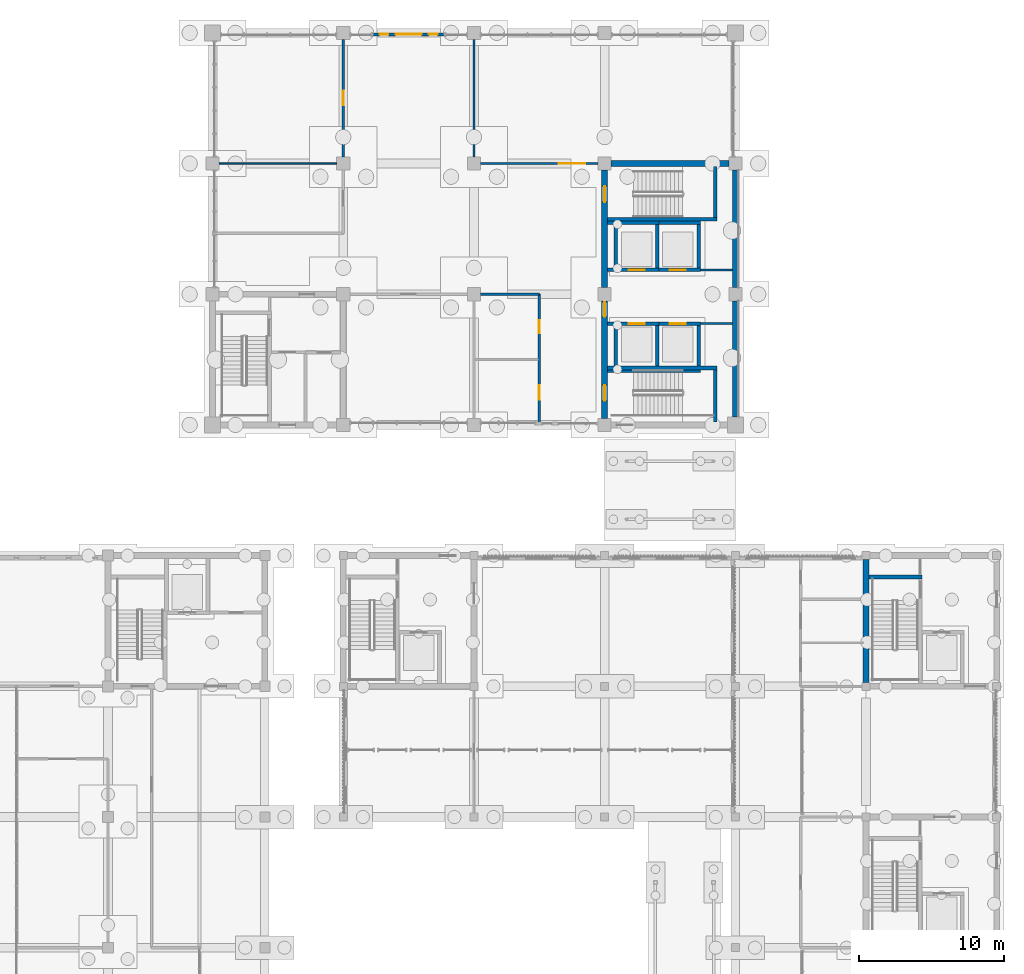
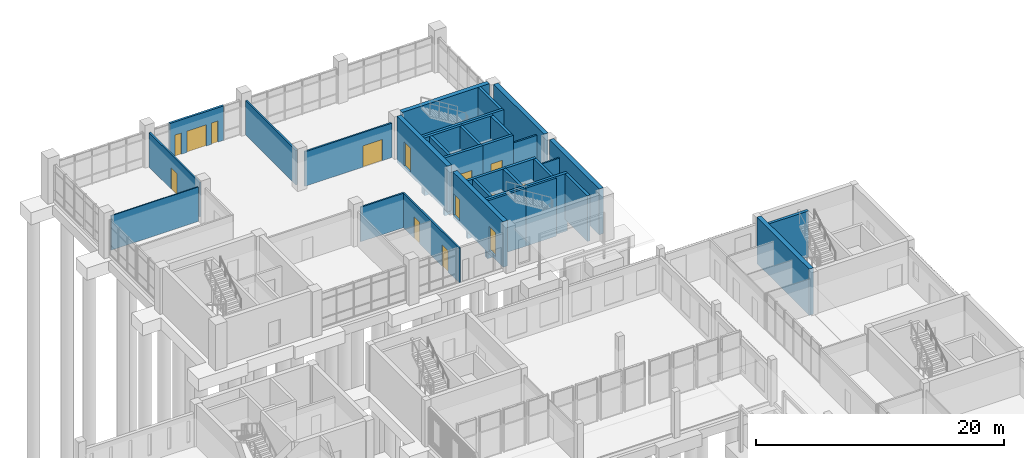
# One storey, part 79 of 106: 34 walls, 12 doors, 2 windows, 14 openings.
"""IFC4 building model written with IfcOpenShell, lengths in metres."""

from ifc_helpers import new_model, si_unit, direction, frame, frame_2d, origin, place, context, subcontext, project, spatial, rectangle, extrude, material, layer, layer_set, type_object, element, fill, save


model = new_model("IFC4")

# Units and contexts
model_context = context("Model", 3, precision=1e-05, world=origin(), true_north=direction((0.0, 1.0)))
body_context = subcontext(model_context, "Body", "Model", "MODEL_VIEW")
ifc_project = project(units=[si_unit("LENGTHUNIT", "METRE"), si_unit("AREAUNIT", "SQUARE_METRE"), si_unit("VOLUMEUNIT", "CUBIC_METRE"), si_unit("PLANEANGLEUNIT", "RADIAN"), si_unit("MASSUNIT", "GRAM", prefix="KILO")], contexts=[model_context])

# Site, building, storey
site_placement = place(None, origin())
site = spatial("IfcSite", under=ifc_project, at=site_placement, CompositionType="ELEMENT")
building_placement = place(site_placement, origin())
building = spatial("IfcBuilding", under=site, at=building_placement, Name="Merrow Basin Faculty of Sciences", CompositionType="ELEMENT")
storey_placement = place(building_placement, origin())
storey = spatial("IfcBuildingStorey", under=building, at=storey_placement, Name="L00", CompositionType="ELEMENT", Elevation=0.0)

# Wall, opening, door
ifc_material_1 = material(Name="Fire-rated gypsum board")
ifc_layer_1 = layer(ifc_material_1, 0.14990234375)
ifc_layer_set_1 = layer_set([ifc_layer_1], Name="Corridor partition 150 fire-rated board on steel studs")
wall_type_1 = type_object("IfcWallType", Name="Corridor partition 150 fire-rated board on steel studs", PredefinedType="PARTITIONING", material=ifc_layer_set_1)
wall_1_placement = place(storey_placement, frame((27.0, 160.449951171875, 0.0), z_axis=(0.0, 0.0, 1.0), x_axis=(0.0, 1.0, 0.0)))
wall_1 = element("IfcWall", 1, at=wall_1_placement, inside=storey, type_object=wall_type_1, Name="IW151 L00 004", PredefinedType="PARTITIONING", context=body_context, shape_type="SweptSolid", body=[
    extrude(rectangle(XDim=8.10009765625, YDim=0.14990234375, at=frame_2d((4.050048828125, 0.0))), origin(), (0.0, 0.0, 1.0), 3.39990234375),
])
opening_1_placement = place(wall_1_placement, frame((3.550048828125, 0.0, 0.0)))
opening_1 = element("IfcOpeningElement", 2, at=opening_1_placement, cuts=wall_1, Name="Opening D00T014", PredefinedType="OPENING", context=body_context, shape_type="SweptSolid", body=[
    extrude(rectangle(XDim=1.0, YDim=2.10009765625, at=frame_2d((0.5, 1.050048828125))), frame((0.0, 0.0849609375, 0.0), z_axis=(0.0, -1.0, 0.0), x_axis=(1.0, 0.0, 0.0)), (0.0, 0.0, 1.0), 0.169921875),
])
ifc_material_2 = material(Name="Timber door leaf", Category="wood")
door_type_1 = type_object("IfcDoorType", Name="Single swing door 1000 x 2100", OperationType="NOTDEFINED", PredefinedType="DOOR", material=ifc_material_2)
door_1_placement = place(opening_1_placement, origin())
door_1 = element("IfcDoor", 3, at=door_1_placement, inside=storey, type_object=door_type_1, Name="Door D00T014", OperationType="SINGLE_SWING_LEFT", OverallHeight=2.10009765625, OverallWidth=1.0, PredefinedType="DOOR", context=body_context, shape_type="SweptSolid", body=[
    extrude(rectangle(XDim=1.0, YDim=2.10009765625, at=frame_2d((0.5, 1.050048828125))), frame((0.0, 0.02490234375, 0.0), z_axis=(0.0, -1.0, 0.0), x_axis=(1.0, 0.0, 0.0)), (0.0, 0.0, 1.0), 0.050048828125),
])
fill(opening_1, door_1)

# Wall
wall_2_placement = place(storey_placement, frame((36.0, 160.449951171875, 0.0), z_axis=(0.0, 0.0, 1.0), x_axis=(0.0, 1.0, 0.0)))
element("IfcWall", 4, at=wall_2_placement, inside=storey, type_object=wall_type_1, Name="IW151 L00 006", PredefinedType="PARTITIONING", context=body_context, shape_type="SweptSolid", body=[
    extrude(rectangle(XDim=8.10009765625, YDim=0.14990234375, at=frame_2d((4.050048828125, 0.0))), origin(), (0.0, 0.0, 1.0), 3.39990234375),
])

# Wall, openings, doors
wall_3_placement = place(storey_placement, frame((40.5, 142.0, 0.0), z_axis=(0.0, 0.0, 1.0), x_axis=(0.0, 1.0, 0.0)))
wall_3 = element("IfcWall", 5, at=wall_3_placement, inside=storey, type_object=wall_type_1, Name="IW151 L00 007", PredefinedType="PARTITIONING", context=body_context, shape_type="SweptSolid", body=[
    extrude(rectangle(XDim=9.0, YDim=0.14990234375, at=frame_2d((4.5, 0.0))), origin(), (0.0, 0.0, 1.0), 3.39990234375),
])
opening_2_placement = place(wall_3_placement, frame((1.75, 0.0, 0.0)))
opening_2 = element("IfcOpeningElement", 6, at=opening_2_placement, cuts=wall_3, Name="Opening D00T010", PredefinedType="OPENING", context=body_context, shape_type="SweptSolid", body=[
    extrude(rectangle(XDim=1.0, YDim=2.10009765625, at=frame_2d((0.5, 1.050048828125))), frame((0.0, 0.0849609375, 0.0), z_axis=(0.0, -1.0, 0.0), x_axis=(1.0, 0.0, 0.0)), (0.0, 0.0, 1.0), 0.169921875),
])
opening_3_placement = place(wall_3_placement, frame((6.300048828125, 0.0, 0.0)))
opening_3 = element("IfcOpeningElement", 7, at=opening_3_placement, cuts=wall_3, Name="Opening D00T011", PredefinedType="OPENING", context=body_context, shape_type="SweptSolid", body=[
    extrude(rectangle(XDim=0.89990234375, YDim=2.10009765625, at=frame_2d((0.449951171875, 1.050048828125))), frame((0.0, 0.0849609375, 0.0), z_axis=(0.0, -1.0, 0.0), x_axis=(1.0, 0.0, 0.0)), (0.0, 0.0, 1.0), 0.169921875),
])
ifc_material_3 = material(Name="Timber door leaf", Category="wood")
door_type_2 = type_object("IfcDoorType", Name="Accessible door 1000 x 2100", OperationType="NOTDEFINED", PredefinedType="DOOR", material=ifc_material_3)
door_2_placement = place(opening_2_placement, origin())
door_2 = element("IfcDoor", 8, at=door_2_placement, inside=storey, type_object=door_type_2, Name="Door D00T010", OperationType="SINGLE_SWING_LEFT", OverallHeight=2.10009765625, OverallWidth=1.0, PredefinedType="DOOR", context=body_context, shape_type="SweptSolid", body=[
    extrude(rectangle(XDim=1.0, YDim=2.10009765625, at=frame_2d((0.5, 1.050048828125))), frame((0.0, 0.02490234375, 0.0), z_axis=(0.0, -1.0, 0.0), x_axis=(1.0, 0.0, 0.0)), (0.0, 0.0, 1.0), 0.050048828125),
])
fill(opening_2, door_2)
ifc_material_4 = material(Name="Timber door leaf", Category="wood")
door_type_3 = type_object("IfcDoorType", Name="Single swing door 900 x 2100", OperationType="NOTDEFINED", PredefinedType="DOOR", material=ifc_material_4)
door_3_placement = place(opening_3_placement, origin())
door_3 = element("IfcDoor", 9, at=door_3_placement, inside=storey, type_object=door_type_3, Name="Door D00T011", OperationType="SINGLE_SWING_LEFT", OverallHeight=2.10009765625, OverallWidth=0.89990234375, PredefinedType="DOOR", context=body_context, shape_type="SweptSolid", body=[
    extrude(rectangle(XDim=0.89990234375, YDim=2.10009765625, at=frame_2d((0.449951171875, 1.050048828125))), frame((0.0, 0.02490234375, 0.0), z_axis=(0.0, -1.0, 0.0), x_axis=(1.0, 0.0, 0.0)), (0.0, 0.0, 1.0), 0.050048828125),
])
fill(opening_3, door_3)

# Walls
wall_4_placement = place(storey_placement, frame((51.60009765625, 148.97509765625, 0.0), z_axis=(0.0, 0.0, 1.0), x_axis=(1.0, 0.0, 0.0)))
element("IfcWall", 10, at=wall_4_placement, inside=storey, type_object=wall_type_1, Name="IW151 L00 009", PredefinedType="PARTITIONING", context=body_context, shape_type="SweptSolid", body=[
    extrude(rectangle(XDim=2.199951171875, YDim=0.14990234375, at=frame_2d((1.10009765625, 0.0))), origin(), (0.0, 0.0, 1.0), 3.39990234375),
])
wall_5_placement = place(storey_placement, frame((36.449951171875, 151.0, 0.0), z_axis=(0.0, 0.0, 1.0), x_axis=(1.0, 0.0, 0.0)))
element("IfcWall", 11, at=wall_5_placement, inside=storey, type_object=wall_type_1, Name="IW151 L00 011", PredefinedType="PARTITIONING", context=body_context, shape_type="SweptSolid", body=[
    extrude(rectangle(XDim=4.050048828125, YDim=0.14990234375, at=frame_2d((2.02490234375, 0.0))), origin(), (0.0, 0.0, 1.0), 3.39990234375),
])
wall_6_placement = place(storey_placement, frame((51.60009765625, 152.675048828125, 0.0), z_axis=(0.0, 0.0, 1.0), x_axis=(1.0, 0.0, 0.0)))
element("IfcWall", 12, at=wall_6_placement, inside=storey, type_object=wall_type_1, Name="IW151 L00 012", PredefinedType="PARTITIONING", context=body_context, shape_type="SweptSolid", body=[
    extrude(rectangle(XDim=2.199951171875, YDim=0.14990234375, at=frame_2d((1.10009765625, 0.0))), origin(), (0.0, 0.0, 1.0), 3.39990234375),
])

# Wall, opening, door
wall_7_placement = place(storey_placement, frame((36.449951171875, 160.0, 0.0), z_axis=(0.0, 0.0, 1.0), x_axis=(1.0, 0.0, 0.0)))
wall_7 = element("IfcWall", 13, at=wall_7_placement, inside=storey, type_object=wall_type_1, Name="IW151 L00 014", PredefinedType="PARTITIONING", context=body_context, shape_type="SweptSolid", body=[
    extrude(rectangle(XDim=8.10009765625, YDim=0.14990234375, at=frame_2d((4.050048828125, 0.0))), origin(), (0.0, 0.0, 1.0), 3.39990234375),
])
opening_4_placement = place(wall_7_placement, frame((5.39990234375, 0.0, 0.0)))
opening_4 = element("IfcOpeningElement", 14, at=opening_4_placement, cuts=wall_7, Name="Opening D00T015", PredefinedType="OPENING", context=body_context, shape_type="SweptSolid", body=[
    extrude(rectangle(XDim=1.800048828125, YDim=2.10009765625, at=frame_2d((0.89990234375, 1.050048828125))), frame((0.0, 0.0849609375, 0.0), z_axis=(0.0, -1.0, 0.0), x_axis=(1.0, 0.0, 0.0)), (0.0, 0.0, 1.0), 0.169921875),
])
ifc_material_5 = material(Name="Glazed aluminium door", Category="aluminium")
door_type_4 = type_object("IfcDoorType", Name="Double swing door 1800 x 2100", OperationType="NOTDEFINED", PredefinedType="DOOR", material=ifc_material_5)
door_4_placement = place(opening_4_placement, origin())
door_4 = element("IfcDoor", 15, at=door_4_placement, inside=storey, type_object=door_type_4, Name="Door D00T015", OperationType="DOUBLE_DOOR_SINGLE_SWING", OverallHeight=2.10009765625, OverallWidth=1.800048828125, PredefinedType="DOOR", context=body_context, shape_type="SweptSolid", body=[
    extrude(rectangle(XDim=1.800048828125, YDim=2.10009765625, at=frame_2d((0.89990234375, 1.050048828125))), frame((0.0, 0.02490234375, 0.0), z_axis=(0.0, -1.0, 0.0), x_axis=(1.0, 0.0, 0.0)), (0.0, 0.0, 1.0), 0.050048828125),
])
fill(opening_4, door_4)

# Wall, openings, door, windows
ifc_material_6 = material(Name="Precast concrete C40/50", Category="concrete")
ifc_layer_2 = layer(ifc_material_6, 0.199951171875)
ifc_layer_set_2 = layer_set([ifc_layer_2], Name="Entrance frame wall 200 Precast concrete C40/50")
wall_type_2 = type_object("IfcWallType", Name="Entrance frame wall 200 Precast concrete C40/50", PredefinedType="STANDARD", material=ifc_layer_set_2)
wall_8_placement = place(storey_placement, frame((29.0, 168.89990234375, 0.0), z_axis=(0.0, 0.0, 1.0), x_axis=(1.0, 0.0, 0.0)))
wall_8 = element("IfcWall", 16, at=wall_8_placement, inside=storey, type_object=wall_type_2, Name="Entrance frame wall north", PredefinedType="STANDARD", context=body_context, shape_type="SweptSolid", body=[
    extrude(rectangle(XDim=5.0, YDim=0.199951171875, at=frame_2d((2.5, 0.0))), origin(), (0.0, 0.0, 1.0), 3.39990234375),
])
opening_5_placement = place(wall_8_placement, frame((1.60009765625, 0.0, 0.0)))
opening_5 = element("IfcOpeningElement", 17, at=opening_5_placement, cuts=wall_8, Name="Opening D00T017", PredefinedType="OPENING", context=body_context, shape_type="SweptSolid", body=[
    extrude(rectangle(XDim=1.800048828125, YDim=2.10009765625, at=frame_2d((0.89990234375, 1.050048828125))), frame((0.0, 0.10986328125, 0.0), z_axis=(0.0, -1.0, 0.0), x_axis=(1.0, 0.0, 0.0)), (0.0, 0.0, 1.0), 0.219970703125),
])
opening_6_placement = place(wall_8_placement, frame((0.5, 0.0, 0.0)))
opening_6 = element("IfcOpeningElement", 18, at=opening_6_placement, cuts=wall_8, Name="Opening WN2", PredefinedType="OPENING", context=body_context, shape_type="SweptSolid", body=[
    extrude(rectangle(XDim=0.60009765625, YDim=2.10009765625, at=frame_2d((0.300048828125, 1.050048828125))), frame((0.0, 0.10986328125, 0.0), z_axis=(0.0, -1.0, 0.0), x_axis=(1.0, 0.0, 0.0)), (0.0, 0.0, 1.0), 0.219970703125),
])
opening_7_placement = place(wall_8_placement, frame((3.89990234375, 0.0, 0.0)))
opening_7 = element("IfcOpeningElement", 19, at=opening_7_placement, cuts=wall_8, Name="Opening WN2", PredefinedType="OPENING", context=body_context, shape_type="SweptSolid", body=[
    extrude(rectangle(XDim=0.60009765625, YDim=2.10009765625, at=frame_2d((0.300048828125, 1.050048828125))), frame((0.0, 0.10986328125, 0.0), z_axis=(0.0, -1.0, 0.0), x_axis=(1.0, 0.0, 0.0)), (0.0, 0.0, 1.0), 0.219970703125),
])
door_5_placement = place(opening_5_placement, origin())
door_5 = element("IfcDoor", 20, at=door_5_placement, inside=storey, type_object=door_type_4, Name="North entrance door", OperationType="DOUBLE_DOOR_SINGLE_SWING", OverallHeight=2.10009765625, OverallWidth=1.800048828125, PredefinedType="DOOR", context=body_context, shape_type="SweptSolid", body=[
    extrude(rectangle(XDim=1.800048828125, YDim=2.10009765625, at=frame_2d((0.89990234375, 1.050048828125))), frame((0.0, 0.02490234375, 0.0), z_axis=(0.0, -1.0, 0.0), x_axis=(1.0, 0.0, 0.0)), (0.0, 0.0, 1.0), 0.050048828125),
])
fill(opening_5, door_5)
ifc_material_7 = material(Name="Low-E double glazing", Category="glass")
window_type = type_object("IfcWindowType", Name="Entrance sidelight 600 x 2100", PartitioningType="SINGLE_PANEL", PredefinedType="WINDOW", material=ifc_material_7)
window_1_placement = place(opening_6_placement, origin())
window_1 = element("IfcWindow", 21, at=window_1_placement, inside=storey, type_object=window_type, Name="North entrance sidelight", OverallHeight=2.10009765625, OverallWidth=0.60009765625, PartitioningType="SINGLE_PANEL", PredefinedType="WINDOW", context=body_context, shape_type="SweptSolid", body=[
    extrude(rectangle(XDim=0.60009765625, YDim=2.10009765625, at=frame_2d((0.300048828125, 1.050048828125))), frame((0.0, 0.030029296875, 0.0), z_axis=(0.0, -1.0, 0.0), x_axis=(1.0, 0.0, 0.0)), (0.0, 0.0, 1.0), 0.06005859375),
])
fill(opening_6, window_1)
window_2_placement = place(opening_7_placement, origin())
window_2 = element("IfcWindow", 22, at=window_2_placement, inside=storey, type_object=window_type, Name="North entrance sidelight", OverallHeight=2.10009765625, OverallWidth=0.60009765625, PartitioningType="SINGLE_PANEL", PredefinedType="WINDOW", context=body_context, shape_type="SweptSolid", body=[
    extrude(rectangle(XDim=0.60009765625, YDim=2.10009765625, at=frame_2d((0.300048828125, 1.050048828125))), frame((0.0, 0.030029296875, 0.0), z_axis=(0.0, -1.0, 0.0), x_axis=(1.0, 0.0, 0.0)), (0.0, 0.0, 1.0), 0.06005859375),
])
fill(opening_7, window_2)

# Walls
ifc_material_8 = material(Name="Gypsum board")
ifc_layer_3 = layer(ifc_material_8, 0.10009765625)
ifc_layer_set_3 = layer_set([ifc_layer_3], Name="Partition 100 gypsum board on steel studs")
wall_type_3 = type_object("IfcWallType", Name="Partition 100 gypsum board on steel studs", PredefinedType="PARTITIONING", material=ifc_layer_set_3)
wall_9_placement = place(storey_placement, frame((18.449951171875, 160.0, 0.0), z_axis=(0.0, 0.0, 1.0), x_axis=(1.0, 0.0, 0.0)))
element("IfcWall", 23, at=wall_9_placement, inside=storey, type_object=wall_type_3, Name="IW100 L00 017", PredefinedType="PARTITIONING", context=body_context, shape_type="SweptSolid", body=[
    extrude(rectangle(XDim=8.10009765625, YDim=0.10009765625, at=frame_2d((4.050048828125, 0.0))), origin(), (0.0, 0.0, 1.0), 3.39990234375),
])
ifc_material_9 = material(Name="Concrete C50/60", Category="concrete")
ifc_layer_4 = layer(ifc_material_9, 0.199951171875)
ifc_layer_set_4 = layer_set([ifc_layer_4], Name="Shear wall 200 Concrete C50/60")
wall_type_4 = type_object("IfcWallType", Name="Shear wall 200 Concrete C50/60", PredefinedType="SHEAR", material=ifc_layer_set_4)
wall_10_placement = place(storey_placement, frame((45.199951171875, 145.699951171875, -1.5), z_axis=(0.0, 0.0, 1.0), x_axis=(1.0, 0.0, 0.0)))
element("IfcWall", 24, at=wall_10_placement, inside=storey, type_object=wall_type_4, Name="SW5 L00 018", PredefinedType="SHEAR", context=body_context, shape_type="SweptSolid", body=[
    extrude(rectangle(XDim=3.550048828125, YDim=0.199951171875, at=frame_2d((1.77490234375, 0.0))), origin(), (0.0, 0.0, 1.0), 5.699951171875),
])
wall_11_placement = place(storey_placement, frame((48.75, 145.699951171875, -1.5), z_axis=(0.0, 0.0, 1.0), x_axis=(1.0, 0.0, 0.0)))
element("IfcWall", 25, at=wall_11_placement, inside=storey, type_object=wall_type_4, Name="SW5 L00 022", PredefinedType="SHEAR", context=body_context, shape_type="SweptSolid", body=[
    extrude(rectangle(XDim=2.85009765625, YDim=0.199951171875, at=frame_2d((1.425048828125, 0.0))), origin(), (0.0, 0.0, 1.0), 5.699951171875),
])
ifc_material_10 = material(Name="Concrete C40/50", Category="concrete")
ifc_layer_5 = layer(ifc_material_10, 0.25)
ifc_layer_set_5 = layer_set([ifc_layer_5], Name="Shear wall 250 Concrete C40/50")
wall_type_5 = type_object("IfcWallType", Name="Shear wall 250 Concrete C40/50", PredefinedType="SHEAR", material=ifc_layer_set_5)
wall_12_placement = place(storey_placement, frame((63.199951171875, 131.52490234375, -0.300048828125), z_axis=(0.0, 0.0, 1.0), x_axis=(1.0, 0.0, 0.0)))
element("IfcWall", 26, at=wall_12_placement, inside=storey, type_object=wall_type_5, Name="SW2 L00 029", PredefinedType="SHEAR", context=body_context, shape_type="SweptSolid", body=[
    extrude(rectangle(XDim=3.650146484375, YDim=0.25, at=frame_2d((1.8251953125, 0.0))), origin(), (0.0, 0.0, 1.0), 4.550048828125),
])
ifc_material_11 = material(Name="Concrete C50/60", Category="concrete")
ifc_layer_6 = layer(ifc_material_11, 0.25)
ifc_layer_set_6 = layer_set([ifc_layer_6], Name="Shear wall 250 Concrete C50/60")
wall_type_6 = type_object("IfcWallType", Name="Shear wall 250 Concrete C50/60", PredefinedType="SHEAR", material=ifc_layer_set_6)
wall_13_placement = place(storey_placement, frame((45.199951171875, 156.175048828125, -1.5), z_axis=(0.0, 0.0, 1.0), x_axis=(1.0, 0.0, 0.0)))
element("IfcWall", 27, at=wall_13_placement, inside=storey, type_object=wall_type_6, Name="SW4 L00 007", PredefinedType="SHEAR", context=body_context, shape_type="SweptSolid", body=[
    extrude(rectangle(XDim=7.550048828125, YDim=0.25, at=frame_2d((3.77490234375, 0.0))), origin(), (0.0, 0.0, 1.0), 5.699951171875),
])
wall_14_placement = place(storey_placement, frame((52.625, 156.300048828125, -0.300048828125), z_axis=(0.0, 0.0, 1.0), x_axis=(0.0, 1.0, 0.0)))
element("IfcWall", 28, at=wall_14_placement, inside=storey, type_object=wall_type_6, Name="SW4 L00 008", PredefinedType="SHEAR", context=body_context, shape_type="SweptSolid", body=[
    extrude(rectangle(XDim=3.5, YDim=0.25, at=frame_2d((1.75, 0.0))), origin(), (0.0, 0.0, 1.0), 4.5),
])
wall_15_placement = place(storey_placement, frame((45.199951171875, 145.925048828125, -1.5), z_axis=(0.0, 0.0, 1.0), x_axis=(1.0, 0.0, 0.0)))
element("IfcWall", 29, at=wall_15_placement, inside=storey, type_object=wall_type_6, Name="SW4 L00 009", PredefinedType="SHEAR", context=body_context, shape_type="SweptSolid", body=[
    extrude(rectangle(XDim=7.550048828125, YDim=0.25, at=frame_2d((3.77490234375, 0.0))), origin(), (0.0, 0.0, 1.0), 5.699951171875),
])
wall_16_placement = place(storey_placement, frame((52.625, 142.199951171875, -0.300048828125), z_axis=(0.0, 0.0, 1.0), x_axis=(0.0, 1.0, 0.0)))
element("IfcWall", 30, at=wall_16_placement, inside=storey, type_object=wall_type_6, Name="SW4 L00 010", PredefinedType="SHEAR", context=body_context, shape_type="SweptSolid", body=[
    extrude(rectangle(XDim=3.60009765625, YDim=0.25, at=frame_2d((1.800048828125, 0.0))), origin(), (0.0, 0.0, 1.0), 4.5),
])

# Wall, opening, door
wall_17_placement = place(storey_placement, frame((45.199951171875, 152.675048828125, -1.5), z_axis=(0.0, 0.0, 1.0), x_axis=(1.0, 0.0, 0.0)))
wall_17 = element("IfcWall", 31, at=wall_17_placement, inside=storey, type_object=wall_type_6, Name="SW4 L00 011", PredefinedType="SHEAR", context=body_context, shape_type="SweptSolid", body=[
    extrude(rectangle(XDim=3.550048828125, YDim=0.25, at=frame_2d((1.77490234375, 0.0))), origin(), (0.0, 0.0, 1.0), 5.699951171875),
])
opening_8_placement = place(wall_17_placement, frame((1.449951171875, 0.0, 1.5)))
opening_8 = element("IfcOpeningElement", 32, at=opening_8_placement, cuts=wall_17, Name="Opening LD00T01", PredefinedType="OPENING", context=body_context, shape_type="SweptSolid", body=[
    extrude(rectangle(XDim=1.10009765625, YDim=2.10009765625, at=frame_2d((0.550048828125, 1.050048828125))), frame((0.0, 0.135009765625, 0.0), z_axis=(0.0, -1.0, 0.0), x_axis=(1.0, 0.0, 0.0)), (0.0, 0.0, 1.0), 0.27001953125),
])
ifc_material_12 = material(Name="Stainless steel sliding door", Category="steel")
door_type_5 = type_object("IfcDoorType", Name="Lift landing door 1100 x 2100 sliding", OperationType="NOTDEFINED", PredefinedType="DOOR", material=ifc_material_12)
door_6_placement = place(opening_8_placement, origin())
door_6 = element("IfcDoor", 33, at=door_6_placement, inside=storey, type_object=door_type_5, Name="Landing door LF11 L00", OperationType="SLIDING_TO_LEFT", OverallHeight=2.10009765625, OverallWidth=1.10009765625, PredefinedType="DOOR", context=body_context, shape_type="SweptSolid", body=[
    extrude(rectangle(XDim=1.10009765625, YDim=2.10009765625, at=frame_2d((0.550048828125, 1.050048828125))), frame((0.0, 0.02490234375, 0.0), z_axis=(0.0, -1.0, 0.0), x_axis=(1.0, 0.0, 0.0)), (0.0, 0.0, 1.0), 0.050048828125),
])
fill(opening_8, door_6)

# Walls
wall_18_placement = place(storey_placement, frame((45.199951171875, 155.925048828125, -1.5), z_axis=(0.0, 0.0, 1.0), x_axis=(1.0, 0.0, 0.0)))
element("IfcWall", 34, at=wall_18_placement, inside=storey, type_object=wall_type_6, Name="SW4 L00 012", PredefinedType="SHEAR", context=body_context, shape_type="SweptSolid", body=[
    extrude(rectangle(XDim=3.550048828125, YDim=0.25, at=frame_2d((1.77490234375, 0.0))), origin(), (0.0, 0.0, 1.0), 5.699951171875),
])
for number, where, z_axis, x_axis, name in (
    (35, (45.77490234375, 152.800048828125, -1.5), (0.0, 0.0, 1.0), (0.0, 1.0, 0.0), "SW4 L00 013"),
    (36, (48.625, 152.800048828125, -1.5), (0.0, 0.0, 1.0), (0.0, 1.0, 0.0), "SW4 L00 014"),
):
    element("IfcWall", number, at=place(storey_placement, frame(where, z_axis=z_axis, x_axis=x_axis)), inside=storey, type_object=wall_type_6, Name=name, PredefinedType="SHEAR", context=body_context, shape_type="SweptSolid", body=[
        extrude(rectangle(XDim=3.0, YDim=0.25, at=frame_2d((1.5, 0.0))), origin(), (0.0, 0.0, 1.0), 5.699951171875),
    ])

# Wall, opening, door
wall_19_placement = place(storey_placement, frame((48.75, 152.675048828125, -1.5), z_axis=(0.0, 0.0, 1.0), x_axis=(1.0, 0.0, 0.0)))
wall_19 = element("IfcWall", 37, at=wall_19_placement, inside=storey, type_object=wall_type_6, Name="SW4 L00 015", PredefinedType="SHEAR", context=body_context, shape_type="SweptSolid", body=[
    extrude(rectangle(XDim=2.85009765625, YDim=0.25, at=frame_2d((1.425048828125, 0.0))), origin(), (0.0, 0.0, 1.0), 5.699951171875),
])
opening_9_placement = place(wall_19_placement, frame((0.75, 0.0, 1.5)))
opening_9 = element("IfcOpeningElement", 38, at=opening_9_placement, cuts=wall_19, Name="Opening LD00T02", PredefinedType="OPENING", context=body_context, shape_type="SweptSolid", body=[
    extrude(rectangle(XDim=1.10009765625, YDim=2.10009765625, at=frame_2d((0.550048828125, 1.050048828125))), frame((0.0, 0.135009765625, 0.0), z_axis=(0.0, -1.0, 0.0), x_axis=(1.0, 0.0, 0.0)), (0.0, 0.0, 1.0), 0.27001953125),
])
door_7_placement = place(opening_9_placement, origin())
door_7 = element("IfcDoor", 39, at=door_7_placement, inside=storey, type_object=door_type_5, Name="Landing door LF12 L00", OperationType="SLIDING_TO_LEFT", OverallHeight=2.10009765625, OverallWidth=1.10009765625, PredefinedType="DOOR", context=body_context, shape_type="SweptSolid", body=[
    extrude(rectangle(XDim=1.10009765625, YDim=2.10009765625, at=frame_2d((0.550048828125, 1.050048828125))), frame((0.0, 0.02490234375, 0.0), z_axis=(0.0, -1.0, 0.0), x_axis=(1.0, 0.0, 0.0)), (0.0, 0.0, 1.0), 0.050048828125),
])
fill(opening_9, door_7)

# Walls
wall_20_placement = place(storey_placement, frame((48.75, 155.925048828125, -1.5), z_axis=(0.0, 0.0, 1.0), x_axis=(1.0, 0.0, 0.0)))
element("IfcWall", 40, at=wall_20_placement, inside=storey, type_object=wall_type_6, Name="SW4 L00 016", PredefinedType="SHEAR", context=body_context, shape_type="SweptSolid", body=[
    extrude(rectangle(XDim=2.85009765625, YDim=0.25, at=frame_2d((1.425048828125, 0.0))), origin(), (0.0, 0.0, 1.0), 5.699951171875),
])
wall_21_placement = place(storey_placement, frame((51.47509765625, 152.800048828125, -1.5), z_axis=(0.0, 0.0, 1.0), x_axis=(0.0, 1.0, 0.0)))
element("IfcWall", 41, at=wall_21_placement, inside=storey, type_object=wall_type_6, Name="SW4 L00 017", PredefinedType="SHEAR", context=body_context, shape_type="SweptSolid", body=[
    extrude(rectangle(XDim=3.0, YDim=0.25, at=frame_2d((1.5, 0.0))), origin(), (0.0, 0.0, 1.0), 5.699951171875),
])

# Wall, opening, door
wall_22_placement = place(storey_placement, frame((45.199951171875, 148.97509765625, -1.5), z_axis=(0.0, 0.0, 1.0), x_axis=(1.0, 0.0, 0.0)))
wall_22 = element("IfcWall", 42, at=wall_22_placement, inside=storey, type_object=wall_type_6, Name="SW4 L00 019", PredefinedType="SHEAR", context=body_context, shape_type="SweptSolid", body=[
    extrude(rectangle(XDim=3.550048828125, YDim=0.25, at=frame_2d((1.77490234375, 0.0))), origin(), (0.0, 0.0, 1.0), 5.699951171875),
])
opening_10_placement = place(wall_22_placement, frame((1.449951171875, 0.0, 1.5)))
opening_10 = element("IfcOpeningElement", 43, at=opening_10_placement, cuts=wall_22, Name="Opening LD00T03", PredefinedType="OPENING", context=body_context, shape_type="SweptSolid", body=[
    extrude(rectangle(XDim=1.10009765625, YDim=2.10009765625, at=frame_2d((0.550048828125, 1.050048828125))), frame((0.0, 0.135009765625, 0.0), z_axis=(0.0, -1.0, 0.0), x_axis=(1.0, 0.0, 0.0)), (0.0, 0.0, 1.0), 0.27001953125),
])
door_8_placement = place(opening_10_placement, origin())
door_8 = element("IfcDoor", 44, at=door_8_placement, inside=storey, type_object=door_type_5, Name="Landing door LF13 L00", OperationType="SLIDING_TO_LEFT", OverallHeight=2.10009765625, OverallWidth=1.10009765625, PredefinedType="DOOR", context=body_context, shape_type="SweptSolid", body=[
    extrude(rectangle(XDim=1.10009765625, YDim=2.10009765625, at=frame_2d((0.550048828125, 1.050048828125))), frame((0.0, 0.02490234375, 0.0), z_axis=(0.0, -1.0, 0.0), x_axis=(1.0, 0.0, 0.0)), (0.0, 0.0, 1.0), 0.050048828125),
])
fill(opening_10, door_8)

# Walls
for number, where, z_axis, x_axis, name in (
    (45, (45.77490234375, 146.050048828125, -1.5), (0.0, 0.0, 1.0), (0.0, 1.0, 0.0), "SW4 L00 020"),
    (46, (48.625, 146.050048828125, -1.5), (0.0, 0.0, 1.0), (0.0, 1.0, 0.0), "SW4 L00 021"),
):
    element("IfcWall", number, at=place(storey_placement, frame(where, z_axis=z_axis, x_axis=x_axis)), inside=storey, type_object=wall_type_6, Name=name, PredefinedType="SHEAR", context=body_context, shape_type="SweptSolid", body=[
        extrude(rectangle(XDim=2.800048828125, YDim=0.25, at=frame_2d((1.39990234375, 0.0))), origin(), (0.0, 0.0, 1.0), 5.699951171875),
    ])

# Wall, opening, door
wall_23_placement = place(storey_placement, frame((48.75, 148.97509765625, -1.5), z_axis=(0.0, 0.0, 1.0), x_axis=(1.0, 0.0, 0.0)))
wall_23 = element("IfcWall", 47, at=wall_23_placement, inside=storey, type_object=wall_type_6, Name="SW4 L00 023", PredefinedType="SHEAR", context=body_context, shape_type="SweptSolid", body=[
    extrude(rectangle(XDim=2.85009765625, YDim=0.25, at=frame_2d((1.425048828125, 0.0))), origin(), (0.0, 0.0, 1.0), 5.699951171875),
])
opening_11_placement = place(wall_23_placement, frame((0.75, 0.0, 1.5)))
opening_11 = element("IfcOpeningElement", 48, at=opening_11_placement, cuts=wall_23, Name="Opening LD00T04", PredefinedType="OPENING", context=body_context, shape_type="SweptSolid", body=[
    extrude(rectangle(XDim=1.10009765625, YDim=2.10009765625, at=frame_2d((0.550048828125, 1.050048828125))), frame((0.0, 0.135009765625, 0.0), z_axis=(0.0, -1.0, 0.0), x_axis=(1.0, 0.0, 0.0)), (0.0, 0.0, 1.0), 0.27001953125),
])
door_9_placement = place(opening_11_placement, origin())
door_9 = element("IfcDoor", 49, at=door_9_placement, inside=storey, type_object=door_type_5, Name="Landing door LF14 L00", OperationType="SLIDING_TO_LEFT", OverallHeight=2.10009765625, OverallWidth=1.10009765625, PredefinedType="DOOR", context=body_context, shape_type="SweptSolid", body=[
    extrude(rectangle(XDim=1.10009765625, YDim=2.10009765625, at=frame_2d((0.550048828125, 1.050048828125))), frame((0.0, 0.02490234375, 0.0), z_axis=(0.0, -1.0, 0.0), x_axis=(1.0, 0.0, 0.0)), (0.0, 0.0, 1.0), 0.050048828125),
])
fill(opening_11, door_9)

# Walls
wall_24_placement = place(storey_placement, frame((51.47509765625, 146.050048828125, -1.5), z_axis=(0.0, 0.0, 1.0), x_axis=(0.0, 1.0, 0.0)))
element("IfcWall", 50, at=wall_24_placement, inside=storey, type_object=wall_type_6, Name="SW4 L00 024", PredefinedType="SHEAR", context=body_context, shape_type="SweptSolid", body=[
    extrude(rectangle(XDim=2.800048828125, YDim=0.25, at=frame_2d((1.39990234375, 0.0))), origin(), (0.0, 0.0, 1.0), 5.699951171875),
])
ifc_material_13 = material(Name="Concrete C40/50", Category="concrete")
ifc_layer_7 = layer(ifc_material_13, 0.39990234375)
ifc_layer_set_7 = layer_set([ifc_layer_7], Name="Shear wall 400 Concrete C40/50")
wall_type_7 = type_object("IfcWallType", Name="Shear wall 400 Concrete C40/50", PredefinedType="SHEAR", material=ifc_layer_set_7)
wall_25_placement = place(storey_placement, frame((63.0, 124.27490234375, -0.300048828125), z_axis=(0.0, 0.0, 1.0), x_axis=(0.0, 1.0, 0.0)))
element("IfcWall", 51, at=wall_25_placement, inside=storey, type_object=wall_type_7, Name="SW1 L00 027", PredefinedType="SHEAR", context=body_context, shape_type="SweptSolid", body=[
    extrude(rectangle(XDim=8.4501953125, YDim=0.39990234375, at=frame_2d((4.22509765625, 0.0))), origin(), (0.0, 0.0, 1.0), 4.550048828125),
])
ifc_material_14 = material(Name="Concrete C50/60", Category="concrete")
ifc_layer_8 = layer(ifc_material_14, 0.39990234375)
ifc_layer_set_8 = layer_set([ifc_layer_8], Name="Shear wall 400 Concrete C50/60")
wall_type_8 = type_object("IfcWallType", Name="Shear wall 400 Concrete C50/60", PredefinedType="SHEAR", material=ifc_layer_set_8)
wall_26_placement = place(storey_placement, frame((45.449951171875, 160.0, -0.300048828125), z_axis=(0.0, 0.0, 1.0), x_axis=(1.0, 0.0, 0.0)))
element("IfcWall", 52, at=wall_26_placement, inside=storey, type_object=wall_type_8, Name="SW3 L00 002", PredefinedType="SHEAR", context=body_context, shape_type="SweptSolid", body=[
    extrude(rectangle(XDim=8.10009765625, YDim=0.39990234375, at=frame_2d((4.050048828125, 0.0))), origin(), (0.0, 0.0, 1.0), 4.5),
])

# Wall, openings, doors
wall_27_placement = place(storey_placement, frame((45.0, 142.449951171875, -0.300048828125), z_axis=(0.0, 0.0, 1.0), x_axis=(0.0, 1.0, 0.0)))
wall_27 = element("IfcWall", 53, at=wall_27_placement, inside=storey, type_object=wall_type_8, Name="SW3 L00 003", PredefinedType="SHEAR", context=body_context, shape_type="SweptSolid", body=[
    extrude(rectangle(XDim=8.10009765625, YDim=0.39990234375, at=frame_2d((4.050048828125, 0.0))), origin(), (0.0, 0.0, 1.0), 4.5),
])
opening_12_placement = place(wall_27_placement, frame((1.199951171875, 0.0, 0.300048828125)))
opening_12 = element("IfcOpeningElement", 54, at=opening_12_placement, cuts=wall_27, Name="Opening D00T001", PredefinedType="OPENING", context=body_context, shape_type="SweptSolid", body=[
    extrude(rectangle(XDim=1.10009765625, YDim=2.39990234375, at=frame_2d((0.550048828125, 1.199951171875))), frame((0.0, 0.2099609375, 0.0), z_axis=(0.0, -1.0, 0.0), x_axis=(1.0, 0.0, 0.0)), (0.0, 0.0, 1.0), 0.419921875),
])
opening_13_placement = place(wall_27_placement, frame((7.0, 0.0, 0.300048828125)))
opening_13 = element("IfcOpeningElement", 55, at=opening_13_placement, cuts=wall_27, Name="Opening D00T004", PredefinedType="OPENING", context=body_context, shape_type="SweptSolid", body=[
    extrude(rectangle(XDim=1.0, YDim=2.10009765625, at=frame_2d((0.5, 1.050048828125))), frame((0.0, 0.2099609375, 0.0), z_axis=(0.0, -1.0, 0.0), x_axis=(1.0, 0.0, 0.0)), (0.0, 0.0, 1.0), 0.419921875),
])
ifc_material_15 = material(Name="Fire-rated steel door", Category="steel")
door_type_6 = type_object("IfcDoorType", Name="Fire door FD90 1100 x 2400", OperationType="NOTDEFINED", PredefinedType="DOOR", material=ifc_material_15)
door_10_placement = place(opening_12_placement, origin())
door_10 = element("IfcDoor", 56, at=door_10_placement, inside=storey, type_object=door_type_6, Name="Door D00T001", OperationType="SINGLE_SWING_LEFT", OverallHeight=2.39990234375, OverallWidth=1.10009765625, PredefinedType="DOOR", context=body_context, shape_type="SweptSolid", body=[
    extrude(rectangle(XDim=1.10009765625, YDim=2.39990234375, at=frame_2d((0.550048828125, 1.199951171875))), frame((0.0, 0.02490234375, 0.0), z_axis=(0.0, -1.0, 0.0), x_axis=(1.0, 0.0, 0.0)), (0.0, 0.0, 1.0), 0.050048828125),
])
fill(opening_12, door_10)
door_11_placement = place(opening_13_placement, origin())
door_11 = element("IfcDoor", 57, at=door_11_placement, inside=storey, type_object=door_type_1, Name="Door D00T004", OperationType="SINGLE_SWING_LEFT", OverallHeight=2.10009765625, OverallWidth=1.0, PredefinedType="DOOR", context=body_context, shape_type="SweptSolid", body=[
    extrude(rectangle(XDim=1.0, YDim=2.10009765625, at=frame_2d((0.5, 1.050048828125))), frame((0.0, 0.02490234375, 0.0), z_axis=(0.0, -1.0, 0.0), x_axis=(1.0, 0.0, 0.0)), (0.0, 0.0, 1.0), 0.050048828125),
])
fill(opening_13, door_11)

# Wall, opening, door
wall_28_placement = place(storey_placement, frame((45.0, 151.449951171875, -0.300048828125), z_axis=(0.0, 0.0, 1.0), x_axis=(0.0, 1.0, 0.0)))
wall_28 = element("IfcWall", 58, at=wall_28_placement, inside=storey, type_object=wall_type_8, Name="SW3 L00 004", PredefinedType="SHEAR", context=body_context, shape_type="SweptSolid", body=[
    extrude(rectangle(XDim=8.10009765625, YDim=0.39990234375, at=frame_2d((4.050048828125, 0.0))), origin(), (0.0, 0.0, 1.0), 4.5),
])
opening_14_placement = place(wall_28_placement, frame((5.89990234375, 0.0, 0.300048828125)))
opening_14 = element("IfcOpeningElement", 59, at=opening_14_placement, cuts=wall_28, Name="Opening D00T003", PredefinedType="OPENING", context=body_context, shape_type="SweptSolid", body=[
    extrude(rectangle(XDim=1.10009765625, YDim=2.39990234375, at=frame_2d((0.550048828125, 1.199951171875))), frame((0.0, 0.2099609375, 0.0), z_axis=(0.0, -1.0, 0.0), x_axis=(1.0, 0.0, 0.0)), (0.0, 0.0, 1.0), 0.419921875),
])
door_12_placement = place(opening_14_placement, origin())
door_12 = element("IfcDoor", 60, at=door_12_placement, inside=storey, type_object=door_type_6, Name="Door D00T003", OperationType="SINGLE_SWING_RIGHT", OverallHeight=2.39990234375, OverallWidth=1.10009765625, PredefinedType="DOOR", context=body_context, shape_type="SweptSolid", body=[
    extrude(rectangle(XDim=1.10009765625, YDim=2.39990234375, at=frame_2d((0.550048828125, 1.199951171875))), frame((0.0, 0.02490234375, 0.0), z_axis=(0.0, -1.0, 0.0), x_axis=(1.0, 0.0, 0.0)), (0.0, 0.0, 1.0), 0.050048828125),
])
fill(opening_14, door_12)

# Walls
wall_29_placement = place(storey_placement, frame((54.0, 151.449951171875, -0.300048828125), z_axis=(0.0, 0.0, 1.0), x_axis=(0.0, 1.0, 0.0)))
element("IfcWall", 61, at=wall_29_placement, inside=storey, type_object=wall_type_8, Name="SW3 L00 005", PredefinedType="SHEAR", context=body_context, shape_type="SweptSolid", body=[
    extrude(rectangle(XDim=8.10009765625, YDim=0.39990234375, at=frame_2d((4.050048828125, 0.0))), origin(), (0.0, 0.0, 1.0), 4.5),
])
wall_30_placement = place(storey_placement, frame((54.0, 142.550048828125, -0.300048828125), z_axis=(0.0, 0.0, 1.0), x_axis=(0.0, 1.0, 0.0)))
element("IfcWall", 62, at=wall_30_placement, inside=storey, type_object=wall_type_8, Name="SW3 L00 006", PredefinedType="SHEAR", context=body_context, shape_type="SweptSolid", body=[
    extrude(rectangle(XDim=8.0, YDim=0.39990234375, at=frame_2d((4.0, 0.0))), origin(), (0.0, 0.0, 1.0), 4.5),
])

save(model, "model.ifc")
